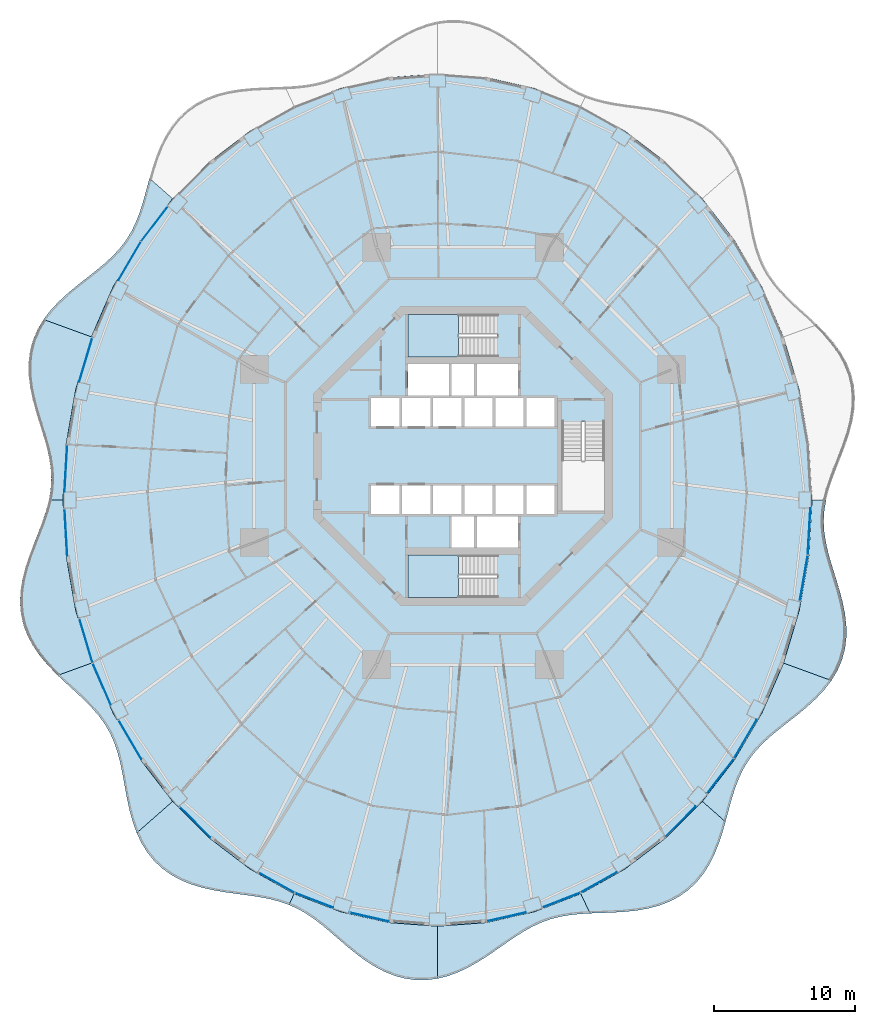
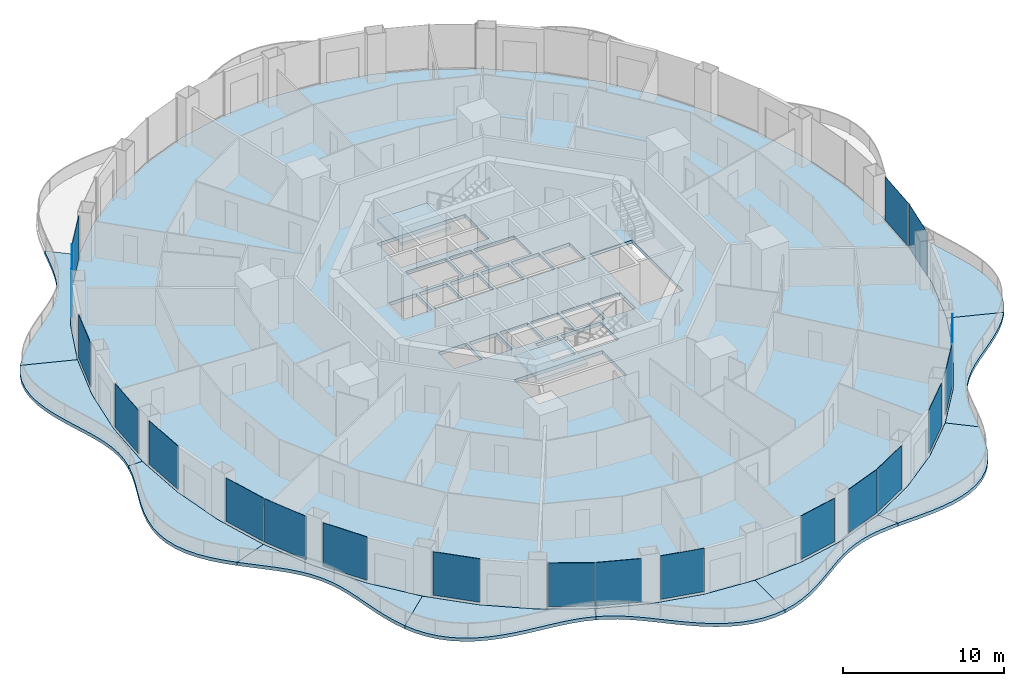
# One storey, part 11 of 21: 20 plates, 13 slabs, 22 elements without a shape of their own.
"""IFC4 building model written with IfcOpenShell, lengths in metres."""

from ifc_helpers import new_model, si_unit, direction, frame, origin, origin_2d, place, context, subcontext, project, spatial, polyline, rectangle, outline, extrude, material, layer, layer_set, type_object, element, aggregate, save


model = new_model("IFC4")

# Units and contexts
model_context = context("Model", 3, precision=1e-05, world=origin(), true_north=direction((0.0, 1.0)))
body_context = subcontext(model_context, "Body", "Model", "MODEL_VIEW")
ifc_project = project(units=[si_unit("LENGTHUNIT", "METRE"), si_unit("AREAUNIT", "SQUARE_METRE"), si_unit("VOLUMEUNIT", "CUBIC_METRE"), si_unit("PLANEANGLEUNIT", "RADIAN"), si_unit("MASSUNIT", "GRAM", prefix="KILO")], contexts=[model_context])

# Site, building, storey
site_placement = place(None, origin())
site = spatial("IfcSite", under=ifc_project, at=site_placement, CompositionType="ELEMENT")
building_placement = place(site_placement, origin())
building = spatial("IfcBuilding", under=site, at=building_placement, Name="Nagisa Residences", CompositionType="ELEMENT")
storey_placement = place(building_placement, frame((0.0, 0.0, 138.10009765625)))
storey = spatial("IfcBuildingStorey", under=building, at=storey_placement, Name="L34", CompositionType="ELEMENT", Elevation=138.10009765625)

# Slabs
ifc_material_1 = material(Name="Concrete C40/50", Category="concrete")
ifc_layer_1 = layer(ifc_material_1, 0.25)
ifc_layer_set_1 = layer_set([ifc_layer_1], Name="BALCONY SLAB 250")
slab_type_1 = type_object("IfcSlabType", Name="BALCONY SLAB 250", PredefinedType="FLOOR", material=ifc_layer_set_1)
slab_1_placement = place(storey_placement, frame((0.0, 0.0, -0.25)))
element("IfcSlab", 1, at=slab_1_placement, inside=storey, type_object=slab_type_1, Name="slab:L34:bal06", PredefinedType="FLOOR", context=body_context, shape_type="SweptSolid", body=[
    extrude(outline(polyline([(-22.19970703125, 19.671630859375), (-22.419189453125, 18.854248046875), (-22.638916015625, 18.059814453125), (-22.87744140625, 17.2998046875), (-23.15185546875, 16.58203125), (-23.476318359375, 15.909912109375), (-23.8603515625, 15.283203125), (-24.3095703125, 14.69775390625), (-24.8232421875, 14.146240234375), (-25.39599609375, 13.618896484375), (-26.0166015625, 13.104248046875), (-26.669921875, 12.590087890625), (-27.336669921875, 12.06494140625), (-27.99560546875, 11.51806640625), (-28.62451171875, 10.940673828125), (-29.201416015625, 10.326416015625), (-29.706787109375, 9.672119140625), (-26.315185546875, 8.4375), (-24.780029296875, 11.979736328125), (-22.8515625, 15.263916015625), (-20.56298828125, 18.2333984375), (-22.19970703125, 19.671630859375)])), origin(), (0.0, 0.0, 1.0), 0.25),
])
slab_2_placement = place(storey_placement, frame((0.0, 0.0, -0.25)))
element("IfcSlab", 2, at=slab_2_placement, inside=storey, type_object=slab_type_1, Name="slab:L34:bal07", PredefinedType="FLOOR", context=body_context, shape_type="SweptSolid", body=[
    extrude(outline(polyline([(-29.706787109375, 9.672119140625), (-30.135986328125, 8.953857421875), (-30.458984375, 8.1943359375), (-30.668701171875, 7.39892578125), (-30.765625, 6.574951171875), (-30.756103515625, 5.730712890625), (-30.6533203125, 4.8759765625), (-30.475830078125, 4.019287109375), (-30.24658203125, 3.1689453125), (-29.990478515625, 2.3310546875), (-29.73388671875, 1.509765625), (-29.502197265625, 0.706787109375), (-29.31787109375, -0.078369140625), (-29.198974609375, -0.848388671875), (-29.15771484375, -1.607666015625), (-29.2001953125, -2.362060546875), (-29.325439453125, -3.11767578125), (-28.3349609375, -3.11767578125), (-28.10791015625, 0.823486328125), (-27.430908203125, 4.697265625), (-26.315185546875, 8.4375), (-29.706787109375, 9.672119140625)])), origin(), (0.0, 0.0, 1.0), 0.25),
])
slab_3_placement = place(storey_placement, frame((0.0, 0.0, -0.25)))
element("IfcSlab", 3, at=slab_3_placement, inside=storey, type_object=slab_type_1, Name="slab:L34:bal08", PredefinedType="FLOOR", context=body_context, shape_type="SweptSolid", body=[
    extrude(outline(polyline([(-29.325439453125, -3.11767578125), (-29.525634765625, -3.880126953125), (-29.7861328125, -4.654541015625), (-30.08740234375, -5.4443359375), (-30.406005859375, -6.250732421875), (-30.716064453125, -7.072998046875), (-30.9912109375, -7.908203125), (-31.206298828125, -8.7509765625), (-31.339599609375, -9.594482421875), (-31.37353515625, -10.43115234375), (-31.296875, -11.25244140625), (-31.10498046875, -12.05078125), (-30.79931640625, -12.819091796875), (-30.388671875, -13.55322265625), (-29.887939453125, -14.25048828125), (-29.316650390625, -14.91162109375), (-28.697509765625, -15.5400390625), (-26.315185546875, -14.6728515625), (-27.430908203125, -10.9326171875), (-28.10791015625, -7.058837890625), (-28.3349609375, -3.11767578125), (-29.325439453125, -3.11767578125)])), origin(), (0.0, 0.0, 1.0), 0.25),
])
slab_4_placement = place(storey_placement, frame((0.0, 0.0, -0.25)))
element("IfcSlab", 4, at=slab_4_placement, inside=storey, type_object=slab_type_1, Name="slab:L34:bal09", PredefinedType="FLOOR", context=body_context, shape_type="SweptSolid", body=[
    extrude(outline(polyline([(-28.697509765625, -15.5400390625), (-28.07568359375, -16.1240234375), (-27.455322265625, -16.691162109375), (-26.857421875, -17.25146484375), (-26.300537109375, -17.8154296875), (-25.799072265625, -18.393798828125), (-25.3623046875, -18.99658203125), (-24.994384765625, -19.6318359375), (-24.693359375, -20.3056640625), (-24.451904296875, -21.02099609375), (-24.2587890625, -21.777099609375), (-24.097412109375, -22.56982421875), (-23.949951171875, -23.390869140625), (-23.795654296875, -24.229248046875), (-23.615234375, -25.071044921875), (-23.3896484375, -25.900634765625), (-23.103271484375, -26.700927734375), (-20.56298828125, -24.46875), (-22.8515625, -21.499267578125), (-24.780029296875, -18.215087890625), (-26.315185546875, -14.6728515625), (-28.697509765625, -15.5400390625)])), origin(), (0.0, 0.0, 1.0), 0.25),
])
slab_5_placement = place(storey_placement, frame((0.0, 0.0, -0.25)))
element("IfcSlab", 5, at=slab_5_placement, inside=storey, type_object=slab_type_1, Name="slab:L34:bal10", PredefinedType="FLOOR", context=body_context, shape_type="SweptSolid", body=[
    extrude(outline(polyline([(-23.103271484375, -26.700927734375), (-22.76220703125, -27.422119140625), (-22.34814453125, -28.08935546875), (-21.857666015625, -28.691650390625), (-21.292236328125, -29.2216796875), (-20.656982421875, -29.674560546875), (-19.96044921875, -30.050048828125), (-19.2138671875, -30.351318359375), (-18.43017578125, -30.586181640625), (-17.6240234375, -30.765625), (-16.808837890625, -30.903564453125), (-15.99853515625, -31.0166015625), (-15.204345703125, -31.12158203125), (-14.43505859375, -31.236572265625), (-13.69677734375, -31.377685546875), (-12.992431640625, -31.559326171875), (-12.3212890625, -31.792724609375), (-11.95458984375, -31.01416015625), (-15.0673828125, -29.267333984375), (-17.953369140625, -27.072998046875), (-20.56298828125, -24.46875), (-23.103271484375, -26.700927734375)])), origin(), (0.0, 0.0, 1.0), 0.25),
])
slab_6_placement = place(storey_placement, frame((0.0, 0.0, -0.25)))
element("IfcSlab", 6, at=slab_6_placement, inside=storey, type_object=slab_type_1, Name="slab:L34:bal11", PredefinedType="FLOOR", context=body_context, shape_type="SweptSolid", body=[
    extrude(outline(polyline([(-12.3212890625, -31.792724609375), (-11.703125, -32.072998046875), (-11.107421875, -32.409912109375), (-10.52734375, -32.80224609375), (-9.954833984375, -33.2431640625), (-9.381103515625, -33.72314453125), (-8.798583984375, -34.228515625), (-8.199462890625, -34.7431640625), (-7.578369140625, -35.2490234375), (-6.931640625, -35.72705078125), (-6.25732421875, -36.158935546875), (-5.555908203125, -36.52734375), (-4.83056640625, -36.817138671875), (-4.0859375, -37.01708984375), (-3.32763671875, -37.119140625), (-2.563232421875, -37.120361328125), (-1.800048828125, -37.022216796875), (-1.800048828125, -33.312744140625), (-5.263427734375, -33.054443359375), (-8.667724609375, -32.283935546875), (-11.95458984375, -31.01416015625), (-12.3212890625, -31.792724609375)])), origin(), (0.0, 0.0, 1.0), 0.25),
])
slab_7_placement = place(storey_placement, frame((0.0, 0.0, -0.25)))
element("IfcSlab", 7, at=slab_7_placement, inside=storey, type_object=slab_type_1, Name="slab:L34:bal12", PredefinedType="FLOOR", context=body_context, shape_type="SweptSolid", body=[
    extrude(outline(polyline([(-1.800048828125, -37.022216796875), (-1.044921875, -36.830322265625), (-0.303955078125, -36.554931640625), (0.417724609375, -36.209716796875), (1.1171875, -35.811767578125), (1.793701171875, -35.378662109375), (2.448486328125, -34.93017578125), (3.0849609375, -34.48486328125), (3.707763671875, -34.06005859375), (4.323974609375, -33.670654296875), (4.940673828125, -33.328125), (5.5654296875, -33.040283203125), (6.205078125, -32.81103515625), (6.86572265625, -32.638916015625), (7.552001953125, -32.51904296875), (8.265625, -32.4423828125), (9.00634765625, -32.39697265625), (8.3544921875, -31.01416015625), (5.06787109375, -32.283935546875), (1.66357421875, -33.054443359375), (-1.800048828125, -33.312744140625), (-1.800048828125, -37.022216796875)])), origin(), (0.0, 0.0, 1.0), 0.25),
])
slab_8_placement = place(storey_placement, frame((0.0, 0.0, -0.25)))
element("IfcSlab", 8, at=slab_8_placement, inside=storey, type_object=slab_type_1, Name="slab:L34:bal13", PredefinedType="FLOOR", context=body_context, shape_type="SweptSolid", body=[
    extrude(outline(polyline([(9.00634765625, -32.39697265625), (9.80029296875, -32.3671875), (10.6142578125, -32.3369140625), (11.439208984375, -32.287841796875), (12.26416015625, -32.201904296875), (13.076416015625, -32.06298828125), (13.86279296875, -31.857421875), (14.6103515625, -31.575439453125), (15.3076171875, -31.2109375), (15.94482421875, -30.76220703125), (16.514892578125, -30.232177734375), (17.0146484375, -29.626953125), (17.4443359375, -28.957275390625), (17.808349609375, -28.2353515625), (18.1142578125, -27.47607421875), (18.373291015625, -26.69482421875), (18.599853515625, -25.9072265625), (16.963134765625, -24.46875), (14.353515625, -27.072998046875), (11.467529296875, -29.267333984375), (8.3544921875, -31.01416015625), (9.00634765625, -32.39697265625)])), origin(), (0.0, 0.0, 1.0), 0.25),
])
slab_9_placement = place(storey_placement, frame((0.0, 0.0, -0.25)))
element("IfcSlab", 9, at=slab_9_placement, inside=storey, type_object=slab_type_1, Name="slab:L34:bal14", PredefinedType="FLOOR", context=body_context, shape_type="SweptSolid", body=[
    extrude(outline(polyline([(18.599853515625, -25.9072265625), (18.8193359375, -25.089599609375), (19.038818359375, -24.295166015625), (19.27734375, -23.53515625), (19.5517578125, -22.8173828125), (19.876220703125, -22.145263671875), (20.260498046875, -21.5185546875), (20.70947265625, -20.93310546875), (21.223388671875, -20.381591796875), (21.7958984375, -19.854248046875), (22.416748046875, -19.339599609375), (23.070068359375, -18.82568359375), (23.73681640625, -18.300537109375), (24.395751953125, -17.75341796875), (25.0244140625, -17.176025390625), (25.6015625, -16.56201171875), (26.10693359375, -15.907470703125), (22.715087890625, -14.6728515625), (21.179931640625, -18.215087890625), (19.251708984375, -21.499267578125), (16.963134765625, -24.46875), (18.599853515625, -25.9072265625)])), origin(), (0.0, 0.0, 1.0), 0.25),
])
slab_10_placement = place(storey_placement, frame((0.0, 0.0, -0.25)))
element("IfcSlab", 10, at=slab_10_placement, inside=storey, type_object=slab_type_1, Name="slab:L34:bal15", PredefinedType="FLOOR", context=body_context, shape_type="SweptSolid", body=[
    extrude(outline(polyline([(26.10693359375, -15.907470703125), (26.5361328125, -15.189208984375), (26.85888671875, -14.4296875), (27.06884765625, -13.63427734375), (27.16552734375, -12.810302734375), (27.15625, -11.966064453125), (27.053466796875, -11.111328125), (26.8759765625, -10.254638671875), (26.646484375, -9.404296875), (26.390380859375, -8.56640625), (26.134033203125, -7.7451171875), (25.90234375, -6.942138671875), (25.718017578125, -6.156982421875), (25.598876953125, -5.386962890625), (25.5576171875, -4.627685546875), (25.600341796875, -3.873291015625), (25.7255859375, -3.11767578125), (24.735107421875, -3.11767578125), (24.508056640625, -7.058837890625), (23.830810546875, -10.9326171875), (22.715087890625, -14.6728515625), (26.10693359375, -15.907470703125)])), origin(), (0.0, 0.0, 1.0), 0.25),
])

# Curtain wall, plate
ifc_material_2 = material(Name="Concrete-coloured aluminium curtain wall system", Category="concrete")
ifc_layer_2 = layer(ifc_material_2, 0.159912109375)
ifc_layer_set_2 = layer_set([ifc_layer_2], Name="CW1 CURTAIN WALL")
curtain_wall_type = type_object("IfcCurtainWallType", Name="CW1 CURTAIN WALL", PredefinedType="NOTDEFINED", material=ifc_layer_set_2)
curtain_wall_1_placement = place(storey_placement, origin())
curtain_wall_1 = element("IfcCurtainWall", 11, at=curtain_wall_1_placement, inside=storey, type_object=curtain_wall_type, Name="cw:CW1:L34:18", PredefinedType="NOTDEFINED")
ifc_material_3 = material(Name="Clear laminated glass", Category="glass")
ifc_layer_3 = layer(ifc_material_3, 0.028076171875)
ifc_layer_set_3 = layer_set([ifc_layer_3], Name="CW1 GLASS PANEL")
plate_type = type_object("IfcPlateType", Name="CW1 GLASS PANEL", PredefinedType="CURTAIN_PANEL", material=ifc_layer_set_3)
plate_1_placement = place(storey_placement, frame((-21.845458984375, 16.4384765625, 0.14990234375), z_axis=(0.0, 0.0, 1.0), x_axis=(-0.610429828235, -0.792070340816, 0.0)))
plate_1 = element("IfcPlate", 12, at=plate_1_placement, type_object=plate_type, Name="CW1 panel", PredefinedType="CURTAIN_PANEL", context=body_context, shape_type="SweptSolid", body=[
    extrude(rectangle(XDim=3.089111328125, YDim=0.028076171875, at=origin_2d()), origin(), (0.0, 0.0, 1.0), 3.2900390625),
])
aggregate(curtain_wall_1, [plate_1])

curtain_wall_2_placement = place(storey_placement, origin())
curtain_wall_2 = element("IfcCurtainWall", 13, at=curtain_wall_2_placement, inside=storey, type_object=curtain_wall_type, Name="cw:CW1:L34:19", PredefinedType="NOTDEFINED")
plate_2_placement = place(storey_placement, frame((-23.610107421875, 13.814208984375, 0.14990234375), z_axis=(0.0, 0.0, 1.0), x_axis=(-0.506348567002, -0.862328898214, 0.0)))
plate_2 = element("IfcPlate", 14, at=plate_2_placement, type_object=plate_type, Name="CW1 panel", PredefinedType="CURTAIN_PANEL", context=body_context, shape_type="SweptSolid", body=[
    extrude(rectangle(XDim=3.1484375, YDim=0.028076171875, at=origin_2d()), origin(), (0.0, 0.0, 1.0), 3.2900390625),
])
aggregate(curtain_wall_2, [plate_2])

curtain_wall_3_placement = place(storey_placement, origin())
curtain_wall_3 = element("IfcCurtainWall", 15, at=curtain_wall_3_placement, inside=storey, type_object=curtain_wall_type, Name="cw:CW1:L34:21", PredefinedType="NOTDEFINED")
plate_3_placement = place(storey_placement, frame((-26.71923828125, 6.80322265625, 0.14990234375), z_axis=(0.0, 0.0, 1.0), x_axis=(-0.285860274038, -0.958271310082, 0.0)))
plate_3 = element("IfcPlate", 16, at=plate_3_placement, type_object=plate_type, Name="CW1 panel", PredefinedType="CURTAIN_PANEL", context=body_context, shape_type="SweptSolid", body=[
    extrude(rectangle(XDim=3.242919921875, YDim=0.028076171875, at=origin_2d()), origin(), (0.0, 0.0, 1.0), 3.2900390625),
])
aggregate(curtain_wall_3, [plate_3])

curtain_wall_4_placement = place(storey_placement, origin())
curtain_wall_4 = element("IfcCurtainWall", 17, at=curtain_wall_4_placement, inside=storey, type_object=curtain_wall_type, Name="cw:CW1:L34:23", PredefinedType="NOTDEFINED")
plate_4_placement = place(storey_placement, frame((-28.126220703125, -0.882080078125, 0.14990234375), z_axis=(0.0, 0.0, 1.0), x_axis=(-0.057503492216, -0.998345305184, 0.0)))
plate_4 = element("IfcPlate", 18, at=plate_4_placement, type_object=plate_type, Name="CW1 panel", PredefinedType="CURTAIN_PANEL", context=body_context, shape_type="SweptSolid", body=[
    extrude(rectangle(XDim=3.287841796875, YDim=0.028076171875, at=origin_2d()), origin(), (0.0, 0.0, 1.0), 3.2900390625),
])
aggregate(curtain_wall_4, [plate_4])

curtain_wall_5_placement = place(storey_placement, origin())
curtain_wall_5 = element("IfcCurtainWall", 19, at=curtain_wall_5_placement, inside=storey, type_object=curtain_wall_type, Name="cw:CW1:L34:24", PredefinedType="NOTDEFINED")
plate_5_placement = place(storey_placement, frame((-28.12255859375, -5.4130859375, 0.14990234375), z_axis=(0.0, 0.0, 1.0), x_axis=(0.057503492216, -0.998345305184, 0.0)))
plate_5 = element("IfcPlate", 20, at=plate_5_placement, type_object=plate_type, Name="CW1 panel", PredefinedType="CURTAIN_PANEL", context=body_context, shape_type="SweptSolid", body=[
    extrude(rectangle(XDim=3.287841796875, YDim=0.028076171875, at=origin_2d()), origin(), (0.0, 0.0, 1.0), 3.2900390625),
])
aggregate(curtain_wall_5, [plate_5])

curtain_wall_6_placement = place(storey_placement, origin())
curtain_wall_6 = element("IfcCurtainWall", 21, at=curtain_wall_6_placement, inside=storey, type_object=curtain_wall_type, Name="cw:CW1:L34:26", PredefinedType="NOTDEFINED")
plate_6_placement = place(storey_placement, frame((-26.701904296875, -13.09619140625, 0.14990234375), z_axis=(0.0, 0.0, 1.0), x_axis=(0.285860274038, -0.958271310082, 0.0)))
plate_6 = element("IfcPlate", 22, at=plate_6_placement, type_object=plate_type, Name="CW1 panel", PredefinedType="CURTAIN_PANEL", context=body_context, shape_type="SweptSolid", body=[
    extrude(rectangle(XDim=3.242919921875, YDim=0.028076171875, at=origin_2d()), origin(), (0.0, 0.0, 1.0), 3.2900390625),
])
aggregate(curtain_wall_6, [plate_6])

curtain_wall_7_placement = place(storey_placement, origin())
curtain_wall_7 = element("IfcCurtainWall", 23, at=curtain_wall_7_placement, inside=storey, type_object=curtain_wall_type, Name="cw:CW1:L34:27", PredefinedType="NOTDEFINED")
plate_7_placement = place(storey_placement, frame((-25.58154296875, -16.16455078125, 0.14990234375), z_axis=(0.0, 0.0, 1.0), x_axis=(0.397635934147, -0.917543276295, 0.0)))
plate_7 = element("IfcPlate", 24, at=plate_7_placement, type_object=plate_type, Name="CW1 panel", PredefinedType="CURTAIN_PANEL", context=body_context, shape_type="SweptSolid", body=[
    extrude(rectangle(XDim=3.20068359375, YDim=0.028076171875, at=origin_2d()), origin(), (0.0, 0.0, 1.0), 3.2900390625),
])
aggregate(curtain_wall_7, [plate_7])

curtain_wall_8_placement = place(storey_placement, origin())
curtain_wall_8 = element("IfcCurtainWall", 25, at=curtain_wall_8_placement, inside=storey, type_object=curtain_wall_type, Name="cw:CW1:L34:28", PredefinedType="NOTDEFINED")
plate_8_placement = place(storey_placement, frame((-23.579833984375, -20.101318359375, 0.14990234375), z_axis=(0.0, 0.0, 1.0), x_axis=(0.506348567002, -0.862328898214, 0.0)))
plate_8 = element("IfcPlate", 26, at=plate_8_placement, type_object=plate_type, Name="CW1 panel", PredefinedType="CURTAIN_PANEL", context=body_context, shape_type="SweptSolid", body=[
    extrude(rectangle(XDim=3.1484375, YDim=0.028076171875, at=origin_2d()), origin(), (0.0, 0.0, 1.0), 3.2900390625),
])
aggregate(curtain_wall_8, [plate_8])

curtain_wall_9_placement = place(storey_placement, origin())
curtain_wall_9 = element("IfcCurtainWall", 27, at=curtain_wall_9_placement, inside=storey, type_object=curtain_wall_type, Name="cw:CW1:L34:30", PredefinedType="NOTDEFINED")
plate_9_placement = place(storey_placement, frame((-18.96826171875, -25.947265625, 0.14990234375), z_axis=(0.0, 0.0, 1.0), x_axis=(0.707835924016, -0.706376885714, 0.0)))
plate_9 = element("IfcPlate", 28, at=plate_9_placement, type_object=plate_type, Name="CW1 panel", PredefinedType="CURTAIN_PANEL", context=body_context, shape_type="SweptSolid", body=[
    extrude(rectangle(XDim=3.026611328125, YDim=0.028076171875, at=origin_2d()), origin(), (0.0, 0.0, 1.0), 3.2900390625),
])
aggregate(curtain_wall_9, [plate_9])

curtain_wall_10_placement = place(storey_placement, origin())
curtain_wall_10 = element("IfcCurtainWall", 29, at=curtain_wall_10_placement, inside=storey, type_object=curtain_wall_type, Name="cw:CW1:L34:32", PredefinedType="NOTDEFINED")
plate_10_placement = place(storey_placement, frame((-13.18408203125, -30.232421875, 0.14990234375), z_axis=(0.0, 0.0, 1.0), x_axis=(0.872072377523, -0.489376918501, 0.0)))
plate_10 = element("IfcPlate", 30, at=plate_10_placement, type_object=plate_type, Name="CW1 panel", PredefinedType="CURTAIN_PANEL", context=body_context, shape_type="SweptSolid", body=[
    extrude(rectangle(XDim=2.90966796875, YDim=0.028076171875, at=origin_2d()), origin(), (0.0, 0.0, 1.0), 3.2900390625),
])
aggregate(curtain_wall_10, [plate_10])

curtain_wall_11_placement = place(storey_placement, origin())
curtain_wall_11 = element("IfcCurtainWall", 31, at=curtain_wall_11_placement, inside=storey, type_object=curtain_wall_type, Name="cw:CW1:L34:33", PredefinedType="NOTDEFINED")
plate_11_placement = place(storey_placement, frame((-10.5341796875, -31.47705078125, 0.14990234375), z_axis=(0.0, 0.0, 1.0), x_axis=(0.932825759707, -0.360327770268, 0.0)))
plate_11 = element("IfcPlate", 32, at=plate_11_placement, type_object=plate_type, Name="CW1 panel", PredefinedType="CURTAIN_PANEL", context=body_context, shape_type="SweptSolid", body=[
    extrude(rectangle(XDim=2.863525390625, YDim=0.028076171875, at=origin_2d()), origin(), (0.0, 0.0, 1.0), 3.2900390625),
])
aggregate(curtain_wall_11, [plate_11])

curtain_wall_12_placement = place(storey_placement, origin())
curtain_wall_12 = element("IfcCurtainWall", 33, at=curtain_wall_12_placement, inside=storey, type_object=curtain_wall_type, Name="cw:CW1:L34:34", PredefinedType="NOTDEFINED")
plate_12_placement = place(storey_placement, frame((-6.626220703125, -32.663818359375, 0.14990234375), z_axis=(0.0, 0.0, 1.0), x_axis=(0.975327274089, -0.2207639201, 0.0)))
plate_12 = element("IfcPlate", 34, at=plate_12_placement, type_object=plate_type, Name="CW1 panel", PredefinedType="CURTAIN_PANEL", context=body_context, shape_type="SweptSolid", body=[
    extrude(rectangle(XDim=2.830322265625, YDim=0.028076171875, at=origin_2d()), origin(), (0.0, 0.0, 1.0), 3.2900390625),
])
aggregate(curtain_wall_12, [plate_12])

curtain_wall_13_placement = place(storey_placement, origin())
curtain_wall_13 = element("IfcCurtainWall", 35, at=curtain_wall_13_placement, inside=storey, type_object=curtain_wall_type, Name="cw:CW1:L34:37", PredefinedType="NOTDEFINED")
plate_13_placement = place(storey_placement, frame((3.084716796875, -32.650634765625, 0.14990234375), z_axis=(0.0, 0.0, 1.0), x_axis=(0.975327274089, 0.2207639201, 0.0)))
plate_13 = element("IfcPlate", 36, at=plate_13_placement, type_object=plate_type, Name="CW1 panel", PredefinedType="CURTAIN_PANEL", context=body_context, shape_type="SweptSolid", body=[
    extrude(rectangle(XDim=2.830322265625, YDim=0.028076171875, at=origin_2d()), origin(), (0.0, 0.0, 1.0), 3.2900390625),
])
aggregate(curtain_wall_13, [plate_13])

curtain_wall_14_placement = place(storey_placement, origin())
curtain_wall_14 = element("IfcCurtainWall", 37, at=curtain_wall_14_placement, inside=storey, type_object=curtain_wall_type, Name="cw:CW1:L34:38", PredefinedType="NOTDEFINED")
plate_14_placement = place(storey_placement, frame((6.990234375, -31.45556640625, 0.14990234375), z_axis=(0.0, 0.0, 1.0), x_axis=(0.932825759707, 0.360327770268, 0.0)))
plate_14 = element("IfcPlate", 38, at=plate_14_placement, type_object=plate_type, Name="CW1 panel", PredefinedType="CURTAIN_PANEL", context=body_context, shape_type="SweptSolid", body=[
    extrude(rectangle(XDim=2.863525390625, YDim=0.028076171875, at=origin_2d()), origin(), (0.0, 0.0, 1.0), 3.2900390625),
])
aggregate(curtain_wall_14, [plate_14])

curtain_wall_15_placement = place(storey_placement, origin())
curtain_wall_15 = element("IfcCurtainWall", 39, at=curtain_wall_15_placement, inside=storey, type_object=curtain_wall_type, Name="cw:CW1:L34:39", PredefinedType="NOTDEFINED")
plate_15_placement = place(storey_placement, frame((9.636474609375, -30.203125, 0.14990234375), z_axis=(0.0, 0.0, 1.0), x_axis=(0.872072377523, 0.489376918501, 0.0)))
plate_15 = element("IfcPlate", 40, at=plate_15_placement, type_object=plate_type, Name="CW1 panel", PredefinedType="CURTAIN_PANEL", context=body_context, shape_type="SweptSolid", body=[
    extrude(rectangle(XDim=2.90966796875, YDim=0.028076171875, at=origin_2d()), origin(), (0.0, 0.0, 1.0), 3.2900390625),
])
aggregate(curtain_wall_15, [plate_15])

curtain_wall_16_placement = place(storey_placement, origin())
curtain_wall_16 = element("IfcCurtainWall", 41, at=curtain_wall_16_placement, inside=storey, type_object=curtain_wall_type, Name="cw:CW1:L34:41", PredefinedType="NOTDEFINED")
plate_16_placement = place(storey_placement, frame((15.41064453125, -25.905029296875, 0.14990234375), z_axis=(0.0, 0.0, 1.0), x_axis=(0.707835924016, 0.706376885714, 0.0)))
plate_16 = element("IfcPlate", 42, at=plate_16_placement, type_object=plate_type, Name="CW1 panel", PredefinedType="CURTAIN_PANEL", context=body_context, shape_type="SweptSolid", body=[
    extrude(rectangle(XDim=3.026611328125, YDim=0.028076171875, at=origin_2d()), origin(), (0.0, 0.0, 1.0), 3.2900390625),
])
aggregate(curtain_wall_16, [plate_16])

curtain_wall_17_placement = place(storey_placement, origin())
curtain_wall_17 = element("IfcCurtainWall", 43, at=curtain_wall_17_placement, inside=storey, type_object=curtain_wall_type, Name="cw:CW1:L34:42", PredefinedType="NOTDEFINED")
plate_17_placement = place(storey_placement, frame((18.245361328125, -22.673828125, 0.14990234375), z_axis=(0.0, 0.0, 1.0), x_axis=(0.610429828235, 0.792070340816, 0.0)))
plate_17 = element("IfcPlate", 44, at=plate_17_placement, type_object=plate_type, Name="CW1 panel", PredefinedType="CURTAIN_PANEL", context=body_context, shape_type="SweptSolid", body=[
    extrude(rectangle(XDim=3.089111328125, YDim=0.028076171875, at=origin_2d()), origin(), (0.0, 0.0, 1.0), 3.2900390625),
])
aggregate(curtain_wall_17, [plate_17])

curtain_wall_18_placement = place(storey_placement, origin())
curtain_wall_18 = element("IfcCurtainWall", 45, at=curtain_wall_18_placement, inside=storey, type_object=curtain_wall_type, Name="cw:CW1:L34:43", PredefinedType="NOTDEFINED")
plate_18_placement = place(storey_placement, frame((20.010009765625, -20.049560546875, 0.14990234375), z_axis=(0.0, 0.0, 1.0), x_axis=(0.506348567002, 0.862328898214, 0.0)))
plate_18 = element("IfcPlate", 46, at=plate_18_placement, type_object=plate_type, Name="CW1 panel", PredefinedType="CURTAIN_PANEL", context=body_context, shape_type="SweptSolid", body=[
    extrude(rectangle(XDim=3.1484375, YDim=0.028076171875, at=origin_2d()), origin(), (0.0, 0.0, 1.0), 3.2900390625),
])
aggregate(curtain_wall_18, [plate_18])

curtain_wall_19_placement = place(storey_placement, origin())
curtain_wall_19 = element("IfcCurtainWall", 47, at=curtain_wall_19_placement, inside=storey, type_object=curtain_wall_type, Name="cw:CW1:L34:46", PredefinedType="NOTDEFINED")
plate_19_placement = place(storey_placement, frame((24.1474609375, -8.656982421875, 0.14990234375), z_axis=(0.0, 0.0, 1.0), x_axis=(0.172190868898, 0.985063604377, 0.0)))
plate_19 = element("IfcPlate", 48, at=plate_19_placement, type_object=plate_type, Name="CW1 panel", PredefinedType="CURTAIN_PANEL", context=body_context, shape_type="SweptSolid", body=[
    extrude(rectangle(XDim=3.2724609375, YDim=0.028076171875, at=origin_2d()), origin(), (0.0, 0.0, 1.0), 3.2900390625),
])
aggregate(curtain_wall_19, [plate_19])

curtain_wall_20_placement = place(storey_placement, origin())
curtain_wall_20 = element("IfcCurtainWall", 49, at=curtain_wall_20_placement, inside=storey, type_object=curtain_wall_type, Name="cw:CW1:L34:47", PredefinedType="NOTDEFINED")
plate_20_placement = place(storey_placement, frame((24.526123046875, -5.353271484375, 0.14990234375), z_axis=(0.0, 0.0, 1.0), x_axis=(0.057503492216, 0.998345305184, 0.0)))
plate_20 = element("IfcPlate", 50, at=plate_20_placement, type_object=plate_type, Name="CW1 panel", PredefinedType="CURTAIN_PANEL", context=body_context, shape_type="SweptSolid", body=[
    extrude(rectangle(XDim=3.287841796875, YDim=0.028076171875, at=origin_2d()), origin(), (0.0, 0.0, 1.0), 3.2900390625),
])
aggregate(curtain_wall_20, [plate_20])

# Slab
ifc_material_4 = material(Name="Concrete C40", Category="concrete")
ifc_layer_4 = layer(ifc_material_4, 0.260009765625)
ifc_layer_set_4 = layer_set([ifc_layer_4], Name="Floor slab 260")
slab_type_2 = type_object("IfcSlabType", Name="Floor slab 260", PredefinedType="FLOOR", material=ifc_layer_set_4)
slab_11_placement = place(storey_placement, frame((0.0, 0.0, -0.260009765625)))
element("IfcSlab", 51, at=slab_11_placement, inside=storey, type_object=slab_type_2, Name="slab:L34:floor", PredefinedType="FLOOR", context=body_context, shape_type="SweptSolid", body=[
    extrude(outline(polyline([(24.735107421875, -3.11767578125), (24.508056640625, 0.823486328125), (23.830810546875, 4.697265625), (22.715087890625, 8.4375), (21.179931640625, 11.979736328125), (19.251708984375, 15.263916015625), (16.963134765625, 18.2333984375), (14.353515625, 20.837646484375), (11.467529296875, 23.031982421875), (8.3544921875, 24.77880859375), (5.06787109375, 26.04833984375), (1.66357421875, 26.819091796875), (-1.800048828125, 27.077392578125), (-5.263427734375, 26.819091796875), (-8.667724609375, 26.04833984375), (-11.95458984375, 24.77880859375), (-15.0673828125, 23.031982421875), (-17.953369140625, 20.837646484375), (-20.56298828125, 18.2333984375), (-22.8515625, 15.263916015625), (-24.780029296875, 11.979736328125), (-26.315185546875, 8.4375), (-27.430908203125, 4.697265625), (-28.10791015625, 0.823486328125), (-28.3349609375, -3.11767578125), (-28.10791015625, -7.058837890625), (-27.430908203125, -10.9326171875), (-26.315185546875, -14.6728515625), (-24.780029296875, -18.215087890625), (-22.8515625, -21.499267578125), (-20.56298828125, -24.46875), (-17.953369140625, -27.072998046875), (-15.0673828125, -29.267333984375), (-11.95458984375, -31.01416015625), (-8.667724609375, -32.283935546875), (-5.263427734375, -33.054443359375), (-1.800048828125, -33.312744140625), (1.66357421875, -33.054443359375), (5.06787109375, -32.283935546875), (8.3544921875, -31.01416015625), (11.467529296875, -29.267333984375), (14.353515625, -27.072998046875), (16.963134765625, -24.46875), (19.251708984375, -21.499267578125), (21.179931640625, -18.215087890625), (22.715087890625, -14.6728515625), (23.830810546875, -10.9326171875), (24.508056640625, -7.058837890625), (24.735107421875, -3.11767578125)]), holes=[polyline([(-4.5, 2.10009765625), (-4.5, 4.10009765625), (-6.5, 4.10009765625), (-6.5, 2.10009765625), (-4.5, 2.10009765625)]), polyline([(-2.300048828125, 2.10009765625), (-2.300048828125, 4.10009765625), (-4.300048828125, 4.10009765625), (-4.300048828125, 2.10009765625), (-2.300048828125, 2.10009765625)]), polyline([(-0.10009765625, 2.10009765625), (-0.10009765625, 4.10009765625), (-2.10009765625, 4.10009765625), (-2.10009765625, 2.10009765625), (-0.10009765625, 2.10009765625)]), polyline([(2.10009765625, 2.10009765625), (2.10009765625, 4.10009765625), (0.10009765625, 4.10009765625), (0.10009765625, 2.10009765625), (2.10009765625, 2.10009765625)]), polyline([(4.300048828125, 2.10009765625), (4.300048828125, 4.10009765625), (2.300048828125, 4.10009765625), (2.300048828125, 2.10009765625), (4.300048828125, 2.10009765625)]), polyline([(6.5, 2.10009765625), (6.5, 4.10009765625), (4.5, 4.10009765625), (4.5, 2.10009765625), (6.5, 2.10009765625)]), polyline([(-4.5, -4.10009765625), (-4.5, -2.10009765625), (-6.5, -2.10009765625), (-6.5, -4.10009765625), (-4.5, -4.10009765625)]), polyline([(-2.300048828125, -4.10009765625), (-2.300048828125, -2.10009765625), (-4.300048828125, -2.10009765625), (-4.300048828125, -4.10009765625), (-2.300048828125, -4.10009765625)]), polyline([(-0.10009765625, -4.10009765625), (-0.10009765625, -2.10009765625), (-2.10009765625, -2.10009765625), (-2.10009765625, -4.10009765625), (-0.10009765625, -4.10009765625)]), polyline([(2.10009765625, -4.10009765625), (2.10009765625, -2.10009765625), (0.10009765625, -2.10009765625), (0.10009765625, -4.10009765625), (2.10009765625, -4.10009765625)]), polyline([(4.300048828125, -4.10009765625), (4.300048828125, -2.10009765625), (2.300048828125, -2.10009765625), (2.300048828125, -4.10009765625), (4.300048828125, -4.10009765625)]), polyline([(6.5, -4.10009765625), (6.5, -2.10009765625), (4.5, -2.10009765625), (4.5, -4.10009765625), (6.5, -4.10009765625)]), polyline([(3.89990234375, 4.300048828125), (3.89990234375, 6.5), (1.0, 6.5), (1.0, 4.300048828125), (3.89990234375, 4.300048828125)]), polyline([(3.89990234375, -6.5), (3.89990234375, -4.300048828125), (1.0, -4.300048828125), (1.0, -6.5), (3.89990234375, -6.5)]), polyline([(-1.0, 4.300048828125), (-1.0, 6.5), (-3.89990234375, 6.5), (-3.89990234375, 4.300048828125), (-1.0, 4.300048828125)]), polyline([(0.800048828125, 4.300048828125), (0.800048828125, 6.5), (-0.800048828125, 6.5), (-0.800048828125, 4.300048828125), (0.800048828125, 4.300048828125)]), polyline([(0.800048828125, -6.5), (0.800048828125, -4.300048828125), (-0.800048828125, -4.300048828125), (-0.800048828125, -6.5), (0.800048828125, -6.5)]), polyline([(10.024658203125, -3.89990234375), (7.024658203125, -3.89990234375), (7.024658203125, 2.425048828125), (10.024658203125, 2.425048828125), (10.024658203125, -3.89990234375)]), polyline([(-3.89990234375, 7.024658203125), (-3.89990234375, 10.024658203125), (2.425048828125, 10.024658203125), (2.425048828125, 7.024658203125), (-3.89990234375, 7.024658203125)]), polyline([(-3.89990234375, -10.024658203125), (-3.89990234375, -7.024658203125), (2.425048828125, -7.024658203125), (2.425048828125, -10.024658203125), (-3.89990234375, -10.024658203125)])]), origin(), (0.0, 0.0, 1.0), 0.260009765625),
])

# Stair, slab
ifc_material_5 = material(Name="Concrete C60", Category="concrete")
stair_type = type_object("IfcStairType", Name="Exit stair", PredefinedType="HALF_TURN_STAIR", material=ifc_material_5)
stair_1_placement = place(storey_placement, origin())
stair_1 = element("IfcStair", 52, at=stair_1_placement, inside=storey, type_object=stair_type, Name="L34 Exit stair N", PredefinedType="HALF_TURN_STAIR")
ifc_material_6 = material(Name="Concrete C60", Category="concrete")
ifc_layer_5 = layer(ifc_material_6, 0.199951171875)
ifc_layer_set_5 = layer_set([ifc_layer_5], Name="Stair landing")
slab_type_3 = type_object("IfcSlabType", Name="Stair landing", PredefinedType="LANDING", material=ifc_layer_set_5)
slab_12_placement = place(storey_placement, frame((0.0, 0.0, 1.64990234375)))
slab_12 = element("IfcSlab", 53, at=slab_12_placement, type_object=slab_type_3, Name="ST-N landing 1", PredefinedType="LANDING", context=body_context, shape_type="SweptSolid", body=[
    extrude(outline(polyline([(-0.324951171875, 10.024658203125), (-3.89990234375, 10.024658203125), (-3.89990234375, 7.024658203125), (-0.324951171875, 7.024658203125), (-0.324951171875, 10.024658203125)])), origin(), (0.0, 0.0, 1.0), 0.199951171875),
])
aggregate(stair_1, [slab_12])

stair_2_placement = place(storey_placement, origin())
stair_2 = element("IfcStair", 54, at=stair_2_placement, inside=storey, type_object=stair_type, Name="L34 Exit stair S", PredefinedType="HALF_TURN_STAIR")
slab_13_placement = place(storey_placement, frame((0.0, 0.0, 1.64990234375)))
slab_13 = element("IfcSlab", 55, at=slab_13_placement, type_object=slab_type_3, Name="ST-S landing 1", PredefinedType="LANDING", context=body_context, shape_type="SweptSolid", body=[
    extrude(outline(polyline([(-0.324951171875, -7.024658203125), (-3.89990234375, -7.024658203125), (-3.89990234375, -10.024658203125), (-0.324951171875, -10.024658203125), (-0.324951171875, -7.024658203125)])), origin(), (0.0, 0.0, 1.0), 0.199951171875),
])
aggregate(stair_2, [slab_13])

save(model, "model.ifc")
